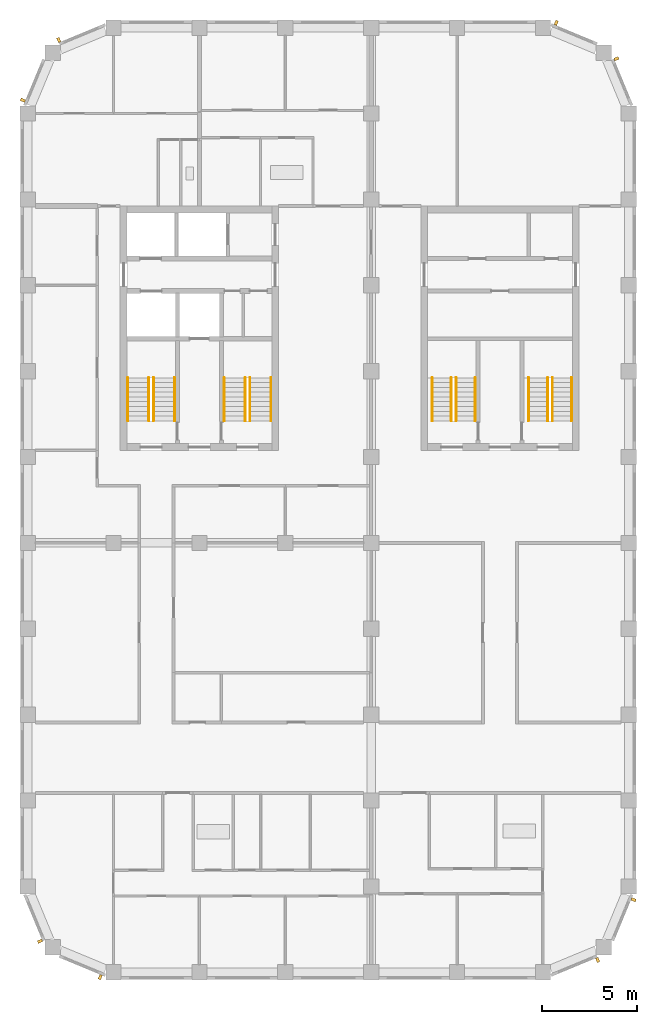
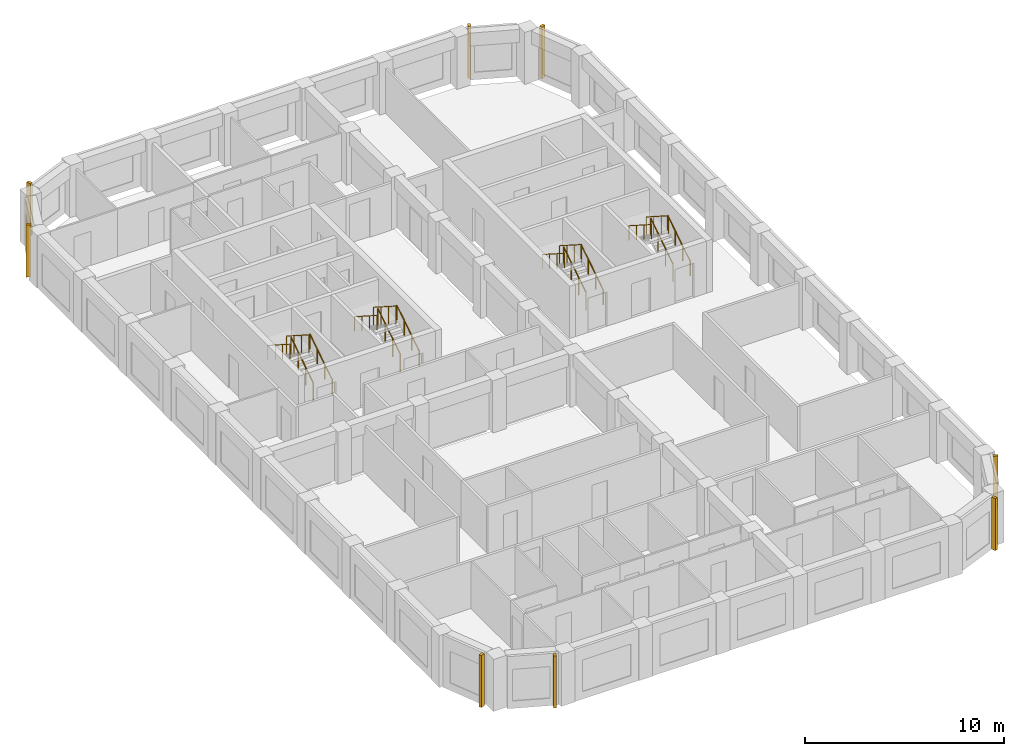
# One storey, part 9 of 10: 16 railings, 8 shading devices.
"""IFC4 building model written with IfcOpenShell, lengths in metres."""

from ifc_helpers import new_model, si_unit, direction, frame, origin, origin_2d, place, context, subcontext, project, spatial, rectangle, circle, extrude, material, type_object, element, save


model = new_model("IFC4")

# Units and contexts
model_context = context("Model", 3, precision=1e-05, world=origin(), true_north=direction((0.0, 1.0)))
body_context = subcontext(model_context, "Body", "Model", "MODEL_VIEW")
ifc_project = project(units=[si_unit("LENGTHUNIT", "METRE"), si_unit("AREAUNIT", "SQUARE_METRE"), si_unit("VOLUMEUNIT", "CUBIC_METRE"), si_unit("PLANEANGLEUNIT", "RADIAN"), si_unit("MASSUNIT", "GRAM", prefix="KILO")], contexts=[model_context])

# Site, building, storey
site_placement = place(None, origin())
site = spatial("IfcSite", under=ifc_project, at=site_placement, CompositionType="ELEMENT")
building_placement = place(site_placement, origin())
building = spatial("IfcBuilding", under=site, at=building_placement, Name="Girih Gate Residences", CompositionType="ELEMENT")
storey_placement = place(building_placement, frame((0.0, 0.0, 192.300048828125)))
storey = spatial("IfcBuildingStorey", under=building, at=storey_placement, Name="L53", CompositionType="ELEMENT", Elevation=192.300048828125)

# Shading devices
ifc_material_1 = material(Name="Precast concrete C50/60", Category="concrete")
shading_device_type = type_object("IfcShadingDeviceType", Name="Corner rib 150x250", PredefinedType="USERDEFINED", material=ifc_material_1)
for number, where, z_axis, x_axis, name in (
    (1, (29.867919921875, 0.646728515625, 0.0), (0.0, 0.0, 1.0), (0.923879532511, 0.382683432365, 0.0), "Corner rib SE0270_0000.0"),
    (2, (31.752685546875, 3.80322265625, 0.0), (0.0, 0.0, 1.0), (0.382683432365, 0.923879532511, 0.0), "Corner rib SE0302_0013.0"),
    (3, (30.853271484375, 47.867919921875, 0.0), (0.0, 0.0, 1.0), (-0.382683432365, 0.923879532511, 0.0), "Corner rib NE0315_0450.0"),
    (4, (27.69677734375, 49.752685546875, 0.0), (0.0, 0.0, 1.0), (-0.923879532511, 0.382683432365, 0.0), "Corner rib NE0302_0482.0"),
    (5, (1.632080078125, 48.853271484375, 0.0), (0.0, 0.0, 1.0), (-0.923879532511, -0.382683432365, 0.0), "Corner rib NW0045_0495.0"),
    (6, (-0.252685546875, 45.69677734375, 0.0), (0.0, 0.0, 1.0), (-0.382683432365, -0.923879532511, 0.0), "Corner rib NW0013_0482.0"),
    (7, (0.646728515625, 1.632080078125, 0.0), (0.0, 0.0, 1.0), (0.382683432365, -0.923879532511, 0.0), "Corner rib SW0000_0045.0"),
    (8, (3.80322265625, -0.252685546875, 0.0), (0.0, 0.0, 1.0), (0.923879532511, -0.382683432365, 0.0), "Corner rib SW0013_0013.0"),
):
    element("IfcShadingDevice", number, at=place(storey_placement, frame(where, z_axis=z_axis, x_axis=x_axis)), inside=storey, type_object=shading_device_type, Name=name, ObjectType="FIN", PredefinedType="USERDEFINED", context=body_context, shape_type="SweptSolid", body=[
        extrude(rectangle(XDim=0.14990234375, YDim=0.25, at=origin_2d()), origin(), (0.0, 0.0, 1.0), 3.199951171875),
    ])

# Railings
ifc_material_2 = material(Name="Stainless steel", Category="steel")
railing_type_1 = type_object("IfcRailingType", Name="Stair guard 1100", PredefinedType="GUARDRAIL", material=ifc_material_2)
railing_1_placement = place(storey_placement, frame((6.60009765625, 28.89990234375, 0.159912109375)))
element("IfcRailing", 9, at=railing_1_placement, inside=storey, type_object=railing_type_1, Name="L53 ST-W1 stair guard 1", PredefinedType="GUARDRAIL", context=body_context, shape_type="SweptSolid", body=[
    extrude(circle(Radius=0.02392578125, at=origin_2d()), frame((0.0, 0.0, 1.076171875), z_axis=(0.0, 0.842281359387, 0.539038135598), x_axis=(-1.0, 0.0, 0.0)), (0.0, 0.0, 1.0), 2.67138671875),
    extrude(circle(Radius=0.02099609375, at=origin_2d()), origin(), (0.0, 0.0, 1.0), 1.052001953125),
    extrude(circle(Radius=0.02099609375, at=origin_2d()), frame((0.0, 0.75, 0.47998046875)), (0.0, 0.0, 1.0), 1.052001953125),
    extrude(circle(Radius=0.02099609375, at=origin_2d()), frame((0.0, 1.5, 0.9599609375)), (0.0, 0.0, 1.0), 1.052001953125),
    extrude(circle(Radius=0.02099609375, at=origin_2d()), frame((0.0, 2.25, 1.43994140625)), (0.0, 0.0, 1.0), 1.052001953125),
])
railing_2_placement = place(storey_placement, frame((6.35009765625, 31.14990234375, 1.760009765625)))
element("IfcRailing", 10, at=railing_2_placement, inside=storey, type_object=railing_type_1, Name="L53 ST-W1 stair guard 2", PredefinedType="GUARDRAIL", context=body_context, shape_type="SweptSolid", body=[
    extrude(circle(Radius=0.02392578125, at=origin_2d()), frame((0.0, 0.0, 1.076171875), z_axis=(0.0, -0.842281359387, 0.539038135598), x_axis=(1.0, 0.0, 0.0)), (0.0, 0.0, 1.0), 2.67138671875),
    extrude(circle(Radius=0.02099609375, at=origin_2d()), origin(), (0.0, 0.0, 1.0), 1.052001953125),
    extrude(circle(Radius=0.02099609375, at=origin_2d()), frame((0.0, -0.75, 0.47998046875)), (0.0, 0.0, 1.0), 1.052001953125),
    extrude(circle(Radius=0.02099609375, at=origin_2d()), frame((0.0, -1.5, 0.9599609375)), (0.0, 0.0, 1.0), 1.052001953125),
    extrude(circle(Radius=0.02099609375, at=origin_2d()), frame((0.0, -2.25, 1.43994140625)), (0.0, 0.0, 1.0), 1.052001953125),
])
railing_3_placement = place(storey_placement, frame((11.64990234375, 28.89990234375, 0.159912109375)))
element("IfcRailing", 11, at=railing_3_placement, inside=storey, type_object=railing_type_1, Name="L53 ST-W2 stair guard 1", PredefinedType="GUARDRAIL", context=body_context, shape_type="SweptSolid", body=[
    extrude(circle(Radius=0.02392578125, at=origin_2d()), frame((0.0, 0.0, 1.076171875), z_axis=(0.0, 0.842281359387, 0.539038135598), x_axis=(-1.0, 0.0, 0.0)), (0.0, 0.0, 1.0), 2.67138671875),
    extrude(circle(Radius=0.02099609375, at=origin_2d()), origin(), (0.0, 0.0, 1.0), 1.052001953125),
    extrude(circle(Radius=0.02099609375, at=origin_2d()), frame((0.0, 0.75, 0.47998046875)), (0.0, 0.0, 1.0), 1.052001953125),
    extrude(circle(Radius=0.02099609375, at=origin_2d()), frame((0.0, 1.5, 0.9599609375)), (0.0, 0.0, 1.0), 1.052001953125),
    extrude(circle(Radius=0.02099609375, at=origin_2d()), frame((0.0, 2.25, 1.43994140625)), (0.0, 0.0, 1.0), 1.052001953125),
])
railing_4_placement = place(storey_placement, frame((11.39990234375, 31.14990234375, 1.760009765625)))
element("IfcRailing", 12, at=railing_4_placement, inside=storey, type_object=railing_type_1, Name="L53 ST-W2 stair guard 2", PredefinedType="GUARDRAIL", context=body_context, shape_type="SweptSolid", body=[
    extrude(circle(Radius=0.02392578125, at=origin_2d()), frame((0.0, 0.0, 1.076171875), z_axis=(0.0, -0.842281359387, 0.539038135598), x_axis=(1.0, 0.0, 0.0)), (0.0, 0.0, 1.0), 2.67138671875),
    extrude(circle(Radius=0.02099609375, at=origin_2d()), origin(), (0.0, 0.0, 1.0), 1.052001953125),
    extrude(circle(Radius=0.02099609375, at=origin_2d()), frame((0.0, -0.75, 0.47998046875)), (0.0, 0.0, 1.0), 1.052001953125),
    extrude(circle(Radius=0.02099609375, at=origin_2d()), frame((0.0, -1.5, 0.9599609375)), (0.0, 0.0, 1.0), 1.052001953125),
    extrude(circle(Radius=0.02099609375, at=origin_2d()), frame((0.0, -2.25, 1.43994140625)), (0.0, 0.0, 1.0), 1.052001953125),
])
railing_5_placement = place(storey_placement, frame((22.449951171875, 28.89990234375, 0.159912109375)))
element("IfcRailing", 13, at=railing_5_placement, inside=storey, type_object=railing_type_1, Name="L53 ST-C1 stair guard 1", PredefinedType="GUARDRAIL", context=body_context, shape_type="SweptSolid", body=[
    extrude(circle(Radius=0.02392578125, at=origin_2d()), frame((0.0, 0.0, 1.076171875), z_axis=(0.0, 0.842281359387, 0.539038135598), x_axis=(-1.0, 0.0, 0.0)), (0.0, 0.0, 1.0), 2.67138671875),
    extrude(circle(Radius=0.02099609375, at=origin_2d()), origin(), (0.0, 0.0, 1.0), 1.052001953125),
    extrude(circle(Radius=0.02099609375, at=origin_2d()), frame((0.0, 0.75, 0.47998046875)), (0.0, 0.0, 1.0), 1.052001953125),
    extrude(circle(Radius=0.02099609375, at=origin_2d()), frame((0.0, 1.5, 0.9599609375)), (0.0, 0.0, 1.0), 1.052001953125),
    extrude(circle(Radius=0.02099609375, at=origin_2d()), frame((0.0, 2.25, 1.43994140625)), (0.0, 0.0, 1.0), 1.052001953125),
])
railing_6_placement = place(storey_placement, frame((22.199951171875, 31.14990234375, 1.760009765625)))
element("IfcRailing", 14, at=railing_6_placement, inside=storey, type_object=railing_type_1, Name="L53 ST-C1 stair guard 2", PredefinedType="GUARDRAIL", context=body_context, shape_type="SweptSolid", body=[
    extrude(circle(Radius=0.02392578125, at=origin_2d()), frame((0.0, 0.0, 1.076171875), z_axis=(0.0, -0.842281359387, 0.539038135598), x_axis=(1.0, 0.0, 0.0)), (0.0, 0.0, 1.0), 2.67138671875),
    extrude(circle(Radius=0.02099609375, at=origin_2d()), origin(), (0.0, 0.0, 1.0), 1.052001953125),
    extrude(circle(Radius=0.02099609375, at=origin_2d()), frame((0.0, -0.75, 0.47998046875)), (0.0, 0.0, 1.0), 1.052001953125),
    extrude(circle(Radius=0.02099609375, at=origin_2d()), frame((0.0, -1.5, 0.9599609375)), (0.0, 0.0, 1.0), 1.052001953125),
    extrude(circle(Radius=0.02099609375, at=origin_2d()), frame((0.0, -2.25, 1.43994140625)), (0.0, 0.0, 1.0), 1.052001953125),
])
railing_7_placement = place(storey_placement, frame((27.5, 28.89990234375, 0.159912109375)))
element("IfcRailing", 15, at=railing_7_placement, inside=storey, type_object=railing_type_1, Name="L53 ST-C2 stair guard 1", PredefinedType="GUARDRAIL", context=body_context, shape_type="SweptSolid", body=[
    extrude(circle(Radius=0.02392578125, at=origin_2d()), frame((0.0, 0.0, 1.076171875), z_axis=(0.0, 0.842281359387, 0.539038135598), x_axis=(-1.0, 0.0, 0.0)), (0.0, 0.0, 1.0), 2.67138671875),
    extrude(circle(Radius=0.02099609375, at=origin_2d()), origin(), (0.0, 0.0, 1.0), 1.052001953125),
    extrude(circle(Radius=0.02099609375, at=origin_2d()), frame((0.0, 0.75, 0.47998046875)), (0.0, 0.0, 1.0), 1.052001953125),
    extrude(circle(Radius=0.02099609375, at=origin_2d()), frame((0.0, 1.5, 0.9599609375)), (0.0, 0.0, 1.0), 1.052001953125),
    extrude(circle(Radius=0.02099609375, at=origin_2d()), frame((0.0, 2.25, 1.43994140625)), (0.0, 0.0, 1.0), 1.052001953125),
])
railing_8_placement = place(storey_placement, frame((27.25, 31.14990234375, 1.760009765625)))
element("IfcRailing", 16, at=railing_8_placement, inside=storey, type_object=railing_type_1, Name="L53 ST-C2 stair guard 2", PredefinedType="GUARDRAIL", context=body_context, shape_type="SweptSolid", body=[
    extrude(circle(Radius=0.02392578125, at=origin_2d()), frame((0.0, 0.0, 1.076171875), z_axis=(0.0, -0.842281359387, 0.539038135598), x_axis=(1.0, 0.0, 0.0)), (0.0, 0.0, 1.0), 2.67138671875),
    extrude(circle(Radius=0.02099609375, at=origin_2d()), origin(), (0.0, 0.0, 1.0), 1.052001953125),
    extrude(circle(Radius=0.02099609375, at=origin_2d()), frame((0.0, -0.75, 0.47998046875)), (0.0, 0.0, 1.0), 1.052001953125),
    extrude(circle(Radius=0.02099609375, at=origin_2d()), frame((0.0, -1.5, 0.9599609375)), (0.0, 0.0, 1.0), 1.052001953125),
    extrude(circle(Radius=0.02099609375, at=origin_2d()), frame((0.0, -2.25, 1.43994140625)), (0.0, 0.0, 1.0), 1.052001953125),
])
railing_type_2 = type_object("IfcRailingType", Name="Stair handrail 900", PredefinedType="HANDRAIL", material=ifc_material_2)
railing_9_placement = place(storey_placement, frame((7.699951171875, 28.89990234375, 0.159912109375)))
element("IfcRailing", 17, at=railing_9_placement, inside=storey, type_object=railing_type_2, Name="L53 ST-W1 stair handrail 1", PredefinedType="HANDRAIL", context=body_context, shape_type="SweptSolid", body=[
    extrude(circle(Radius=0.02392578125, at=origin_2d()), frame((0.0, 0.0, 0.8857421875), z_axis=(0.0, 0.842281359387, 0.539038135598), x_axis=(-1.0, 0.0, 0.0)), (0.0, 0.0, 1.0), 2.67138671875),
    extrude(circle(Radius=0.02099609375, at=origin_2d()), origin(), (0.0, 0.0, 1.0), 0.86181640625),
    extrude(circle(Radius=0.02099609375, at=origin_2d()), frame((0.0, 0.75, 0.47998046875)), (0.0, 0.0, 1.0), 0.86181640625),
    extrude(circle(Radius=0.02099609375, at=origin_2d()), frame((0.0, 1.5, 0.9599609375)), (0.0, 0.0, 1.0), 0.86181640625),
    extrude(circle(Radius=0.02099609375, at=origin_2d()), frame((0.0, 2.25, 1.43994140625)), (0.0, 0.0, 1.0), 0.86181640625),
])
railing_10_placement = place(storey_placement, frame((5.25, 31.14990234375, 1.760009765625)))
element("IfcRailing", 18, at=railing_10_placement, inside=storey, type_object=railing_type_2, Name="L53 ST-W1 stair handrail 2", PredefinedType="HANDRAIL", context=body_context, shape_type="SweptSolid", body=[
    extrude(circle(Radius=0.02392578125, at=origin_2d()), frame((0.0, 0.0, 0.8857421875), z_axis=(0.0, -0.842281359387, 0.539038135598), x_axis=(1.0, 0.0, 0.0)), (0.0, 0.0, 1.0), 2.67138671875),
    extrude(circle(Radius=0.02099609375, at=origin_2d()), origin(), (0.0, 0.0, 1.0), 0.86181640625),
    extrude(circle(Radius=0.02099609375, at=origin_2d()), frame((0.0, -0.75, 0.47998046875)), (0.0, 0.0, 1.0), 0.86181640625),
    extrude(circle(Radius=0.02099609375, at=origin_2d()), frame((0.0, -1.5, 0.9599609375)), (0.0, 0.0, 1.0), 0.86181640625),
    extrude(circle(Radius=0.02099609375, at=origin_2d()), frame((0.0, -2.25, 1.43994140625)), (0.0, 0.0, 1.0), 0.86181640625),
])
railing_11_placement = place(storey_placement, frame((12.75, 28.89990234375, 0.159912109375)))
element("IfcRailing", 19, at=railing_11_placement, inside=storey, type_object=railing_type_2, Name="L53 ST-W2 stair handrail 1", PredefinedType="HANDRAIL", context=body_context, shape_type="SweptSolid", body=[
    extrude(circle(Radius=0.02392578125, at=origin_2d()), frame((0.0, 0.0, 0.8857421875), z_axis=(0.0, 0.842281359387, 0.539038135598), x_axis=(-1.0, 0.0, 0.0)), (0.0, 0.0, 1.0), 2.67138671875),
    extrude(circle(Radius=0.02099609375, at=origin_2d()), origin(), (0.0, 0.0, 1.0), 0.86181640625),
    extrude(circle(Radius=0.02099609375, at=origin_2d()), frame((0.0, 0.75, 0.47998046875)), (0.0, 0.0, 1.0), 0.86181640625),
    extrude(circle(Radius=0.02099609375, at=origin_2d()), frame((0.0, 1.5, 0.9599609375)), (0.0, 0.0, 1.0), 0.86181640625),
    extrude(circle(Radius=0.02099609375, at=origin_2d()), frame((0.0, 2.25, 1.43994140625)), (0.0, 0.0, 1.0), 0.86181640625),
])
railing_12_placement = place(storey_placement, frame((10.300048828125, 31.14990234375, 1.760009765625)))
element("IfcRailing", 20, at=railing_12_placement, inside=storey, type_object=railing_type_2, Name="L53 ST-W2 stair handrail 2", PredefinedType="HANDRAIL", context=body_context, shape_type="SweptSolid", body=[
    extrude(circle(Radius=0.02392578125, at=origin_2d()), frame((0.0, 0.0, 0.8857421875), z_axis=(0.0, -0.842281359387, 0.539038135598), x_axis=(1.0, 0.0, 0.0)), (0.0, 0.0, 1.0), 2.67138671875),
    extrude(circle(Radius=0.02099609375, at=origin_2d()), origin(), (0.0, 0.0, 1.0), 0.86181640625),
    extrude(circle(Radius=0.02099609375, at=origin_2d()), frame((0.0, -0.75, 0.47998046875)), (0.0, 0.0, 1.0), 0.86181640625),
    extrude(circle(Radius=0.02099609375, at=origin_2d()), frame((0.0, -1.5, 0.9599609375)), (0.0, 0.0, 1.0), 0.86181640625),
    extrude(circle(Radius=0.02099609375, at=origin_2d()), frame((0.0, -2.25, 1.43994140625)), (0.0, 0.0, 1.0), 0.86181640625),
])
railing_13_placement = place(storey_placement, frame((23.449951171875, 28.89990234375, 0.159912109375)))
element("IfcRailing", 21, at=railing_13_placement, inside=storey, type_object=railing_type_2, Name="L53 ST-C1 stair handrail 1", PredefinedType="HANDRAIL", context=body_context, shape_type="SweptSolid", body=[
    extrude(circle(Radius=0.02392578125, at=origin_2d()), frame((0.0, 0.0, 0.8857421875), z_axis=(0.0, 0.842281359387, 0.539038135598), x_axis=(-1.0, 0.0, 0.0)), (0.0, 0.0, 1.0), 2.67138671875),
    extrude(circle(Radius=0.02099609375, at=origin_2d()), origin(), (0.0, 0.0, 1.0), 0.86181640625),
    extrude(circle(Radius=0.02099609375, at=origin_2d()), frame((0.0, 0.75, 0.47998046875)), (0.0, 0.0, 1.0), 0.86181640625),
    extrude(circle(Radius=0.02099609375, at=origin_2d()), frame((0.0, 1.5, 0.9599609375)), (0.0, 0.0, 1.0), 0.86181640625),
    extrude(circle(Radius=0.02099609375, at=origin_2d()), frame((0.0, 2.25, 1.43994140625)), (0.0, 0.0, 1.0), 0.86181640625),
])
railing_14_placement = place(storey_placement, frame((21.199951171875, 31.14990234375, 1.760009765625)))
element("IfcRailing", 22, at=railing_14_placement, inside=storey, type_object=railing_type_2, Name="L53 ST-C1 stair handrail 2", PredefinedType="HANDRAIL", context=body_context, shape_type="SweptSolid", body=[
    extrude(circle(Radius=0.02392578125, at=origin_2d()), frame((0.0, 0.0, 0.8857421875), z_axis=(0.0, -0.842281359387, 0.539038135598), x_axis=(1.0, 0.0, 0.0)), (0.0, 0.0, 1.0), 2.67138671875),
    extrude(circle(Radius=0.02099609375, at=origin_2d()), origin(), (0.0, 0.0, 1.0), 0.86181640625),
    extrude(circle(Radius=0.02099609375, at=origin_2d()), frame((0.0, -0.75, 0.47998046875)), (0.0, 0.0, 1.0), 0.86181640625),
    extrude(circle(Radius=0.02099609375, at=origin_2d()), frame((0.0, -1.5, 0.9599609375)), (0.0, 0.0, 1.0), 0.86181640625),
    extrude(circle(Radius=0.02099609375, at=origin_2d()), frame((0.0, -2.25, 1.43994140625)), (0.0, 0.0, 1.0), 0.86181640625),
])
railing_15_placement = place(storey_placement, frame((28.5, 28.89990234375, 0.159912109375)))
element("IfcRailing", 23, at=railing_15_placement, inside=storey, type_object=railing_type_2, Name="L53 ST-C2 stair handrail 1", PredefinedType="HANDRAIL", context=body_context, shape_type="SweptSolid", body=[
    extrude(circle(Radius=0.02392578125, at=origin_2d()), frame((0.0, 0.0, 0.8857421875), z_axis=(0.0, 0.842281359387, 0.539038135598), x_axis=(-1.0, 0.0, 0.0)), (0.0, 0.0, 1.0), 2.67138671875),
    extrude(circle(Radius=0.02099609375, at=origin_2d()), origin(), (0.0, 0.0, 1.0), 0.86181640625),
    extrude(circle(Radius=0.02099609375, at=origin_2d()), frame((0.0, 0.75, 0.47998046875)), (0.0, 0.0, 1.0), 0.86181640625),
    extrude(circle(Radius=0.02099609375, at=origin_2d()), frame((0.0, 1.5, 0.9599609375)), (0.0, 0.0, 1.0), 0.86181640625),
    extrude(circle(Radius=0.02099609375, at=origin_2d()), frame((0.0, 2.25, 1.43994140625)), (0.0, 0.0, 1.0), 0.86181640625),
])
railing_16_placement = place(storey_placement, frame((26.25, 31.14990234375, 1.760009765625)))
element("IfcRailing", 24, at=railing_16_placement, inside=storey, type_object=railing_type_2, Name="L53 ST-C2 stair handrail 2", PredefinedType="HANDRAIL", context=body_context, shape_type="SweptSolid", body=[
    extrude(circle(Radius=0.02392578125, at=origin_2d()), frame((0.0, 0.0, 0.8857421875), z_axis=(0.0, -0.842281359387, 0.539038135598), x_axis=(1.0, 0.0, 0.0)), (0.0, 0.0, 1.0), 2.67138671875),
    extrude(circle(Radius=0.02099609375, at=origin_2d()), origin(), (0.0, 0.0, 1.0), 0.86181640625),
    extrude(circle(Radius=0.02099609375, at=origin_2d()), frame((0.0, -0.75, 0.47998046875)), (0.0, 0.0, 1.0), 0.86181640625),
    extrude(circle(Radius=0.02099609375, at=origin_2d()), frame((0.0, -1.5, 0.9599609375)), (0.0, 0.0, 1.0), 0.86181640625),
    extrude(circle(Radius=0.02099609375, at=origin_2d()), frame((0.0, -2.25, 1.43994140625)), (0.0, 0.0, 1.0), 0.86181640625),
])

save(model, "model.ifc")
